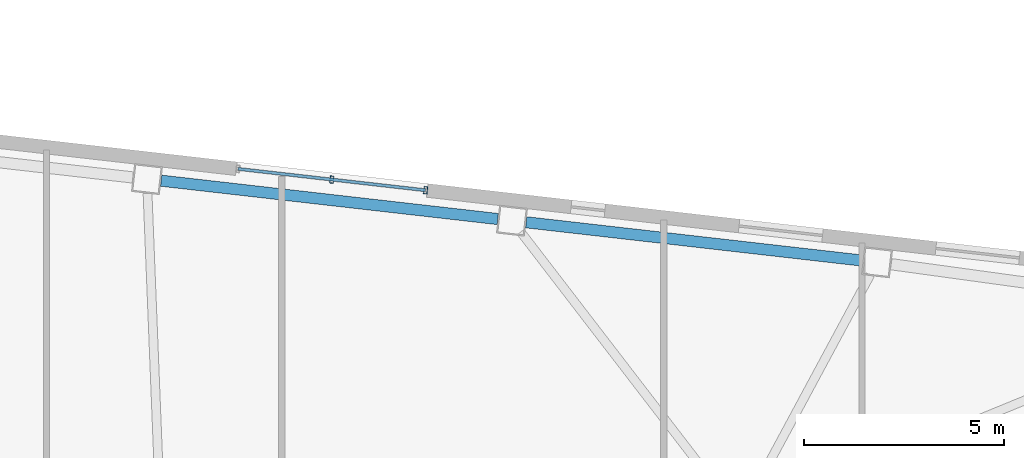
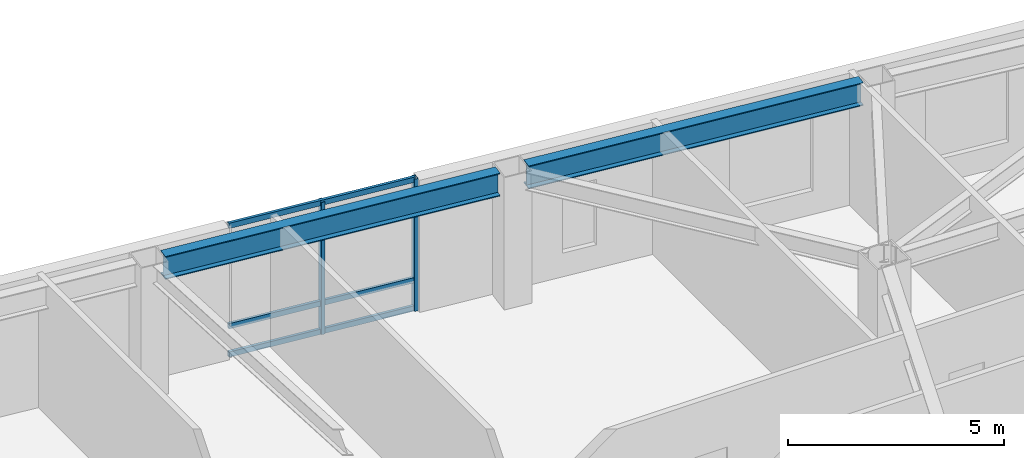
# One storey, part 9 of 21: 5 members, 2 beams, 1 element without a shape of its own.
"""IFC4 building model written with IfcOpenShell, lengths in metres."""

from ifc_helpers import new_model, si_unit, direction, frame, origin, origin_2d, place, context, subcontext, project, spatial, hollow_rectangle, i_section, extrude, material, layer, layer_set, material_profile, profile_set, type_object, element, aggregate, save


model = new_model("IFC4")

# Units and contexts
model_context = context("Model", 3, precision=1e-05, world=origin(), true_north=direction((0.0, 1.0)))
body_context = subcontext(model_context, "Body", "Model", "MODEL_VIEW")
ifc_project = project(units=[si_unit("LENGTHUNIT", "METRE"), si_unit("AREAUNIT", "SQUARE_METRE"), si_unit("VOLUMEUNIT", "CUBIC_METRE"), si_unit("PLANEANGLEUNIT", "RADIAN"), si_unit("MASSUNIT", "GRAM", prefix="KILO")], contexts=[model_context])

# Site, building, storey
site_placement = place(None, origin())
site = spatial("IfcSite", under=ifc_project, at=site_placement, CompositionType="ELEMENT")
building_placement = place(site_placement, origin())
building = spatial("IfcBuilding", under=site, at=building_placement, Name="Tavrogorsk Clinical Tower", CompositionType="ELEMENT")
storey_placement = place(building_placement, frame((0.0, 0.0, 137.39990234375)))
storey = spatial("IfcBuildingStorey", under=building, at=storey_placement, Name="L31", CompositionType="ELEMENT", Elevation=137.39990234375)

# Curtain wall, members
ifc_material_1 = material(Name="Anodised aluminium and triple IGU glazing", Category="aluminium")
ifc_layer = layer(ifc_material_1, 0.179931640625)
ifc_layer_set = layer_set([ifc_layer], Name="Anodised aluminium and triple IGU glazing")
curtain_wall_type = type_object("IfcCurtainWallType", Name="CW2_NorthSlot", PredefinedType="NOTDEFINED", material=ifc_layer_set)
curtain_wall_placement = place(storey_placement, origin())
curtain_wall = element("IfcCurtainWall", 1, at=curtain_wall_placement, inside=storey, type_object=curtain_wall_type, Name="L31 Curtain Wall CW-L31-N-SLOT-2", PredefinedType="NOTDEFINED")
ifc_material_2 = material(Name="Anodised aluminium alloy AW-6060", Category="aluminium")
ifc_material_profile_1 = material_profile(ifc_material_2, hollow_rectangle(XDim=0.090087890625, YDim=0.179931640625, WallThickness=0.00634765625, at=origin_2d()), Name="RHS-180x90x6.3")
ifc_profile_set_1 = profile_set([ifc_material_profile_1], Name="Anodised aluminium alloy AW-6060")
member_type_1 = type_object("IfcMemberType", Name="CwMullion_180x90", PredefinedType="MULLION", material=ifc_profile_set_1)
member_1_placement = place(storey_placement, frame((16.650146484375, 21.36572265625, 0.0), z_axis=(0.0, 0.0, 1.0), x_axis=(-0.993571855603, 0.11320321441, 0.0)))
member_1 = element("IfcMember", 2, at=member_1_placement, type_object=member_type_1, Name="CW-L31-N-SLOT-2 Mullion 1", PredefinedType="MULLION", context=body_context, shape_type="SweptSolid", body=[
    extrude(hollow_rectangle(XDim=0.090087890625, YDim=0.179931640625, WallThickness=0.00634765625, at=origin_2d()), origin(), (0.0, 0.0, 1.0), 3.739990234375),
])
member_2_placement = place(storey_placement, frame((14.306396484375, 21.6328125, 0.0), z_axis=(0.0, 0.0, 1.0), x_axis=(-0.993571855603, 0.11320321441, 0.0)))
member_2 = element("IfcMember", 3, at=member_2_placement, type_object=member_type_1, Name="CW-L31-N-SLOT-2 Mullion 2", PredefinedType="MULLION", context=body_context, shape_type="SweptSolid", body=[
    extrude(hollow_rectangle(XDim=0.090087890625, YDim=0.179931640625, WallThickness=0.00634765625, at=origin_2d()), origin(), (0.0, 0.0, 1.0), 3.739990234375),
])
ifc_material_3 = material(Name="Anodised aluminium alloy AW-6060", Category="aluminium")
ifc_material_profile_2 = material_profile(ifc_material_3, hollow_rectangle(XDim=0.074951171875, YDim=0.14990234375, WallThickness=0.0048828125, at=origin_2d()), Name="RHS-150x75x5")
ifc_profile_set_2 = profile_set([ifc_material_profile_2], Name="Anodised aluminium alloy AW-6060")
member_type_2 = type_object("IfcMemberType", Name="CwTransom_150x75", PredefinedType="USERDEFINED", material=ifc_profile_set_2)
member_3_placement = place(storey_placement, frame((16.650146484375, 21.36572265625, 0.050048828125), z_axis=(-0.993569315854, 0.113225503286, 0.0), x_axis=(-0.113225503286, -0.993569315854, 0.0)))
member_3 = element("IfcMember", 4, at=member_3_placement, type_object=member_type_2, Name="CW-L31-N-SLOT-2 Transom 1", ObjectType="TRANSOM", PredefinedType="USERDEFINED", context=body_context, shape_type="SweptSolid", body=[
    extrude(hollow_rectangle(XDim=0.074951171875, YDim=0.14990234375, WallThickness=0.0048828125, at=origin_2d()), origin(), (0.0, 0.0, 1.0), 4.7177734375),
])
member_4_placement = place(storey_placement, frame((16.650146484375, 21.36572265625, 0.85009765625), z_axis=(-0.993569315854, 0.113225503286, 0.0), x_axis=(-0.113225503286, -0.993569315854, 0.0)))
member_4 = element("IfcMember", 5, at=member_4_placement, type_object=member_type_2, Name="CW-L31-N-SLOT-2 Transom 2", ObjectType="TRANSOM", PredefinedType="USERDEFINED", context=body_context, shape_type="SweptSolid", body=[
    extrude(hollow_rectangle(XDim=0.074951171875, YDim=0.14990234375, WallThickness=0.0048828125, at=origin_2d()), origin(), (0.0, 0.0, 1.0), 4.7177734375),
])
member_5_placement = place(storey_placement, frame((16.650146484375, 21.36572265625, 3.690185546875), z_axis=(-0.993569315854, 0.113225503286, 0.0), x_axis=(-0.113225503286, -0.993569315854, 0.0)))
member_5 = element("IfcMember", 6, at=member_5_placement, type_object=member_type_2, Name="CW-L31-N-SLOT-2 Transom 3", ObjectType="TRANSOM", PredefinedType="USERDEFINED", context=body_context, shape_type="SweptSolid", body=[
    extrude(hollow_rectangle(XDim=0.074951171875, YDim=0.14990234375, WallThickness=0.0048828125, at=origin_2d()), origin(), (0.0, 0.0, 1.0), 4.7177734375),
])
aggregate(curtain_wall, [member_1, member_2, member_3, member_4, member_5])

# Beams
ifc_material_4 = material(Name="Structural steel S390", Category="steel")
ifc_material_profile_3 = material_profile(ifc_material_4, i_section(OverallWidth=0.280029296875, OverallDepth=0.64990234375, WebThickness=0.01611328125, FlangeThickness=0.02490234375, at=origin_2d()), Name="B-650x280x16x25")
ifc_profile_set_3 = profile_set([ifc_material_profile_3], Name="Structural steel S390")
beam_type = type_object("IfcBeamType", Name="SpandrelBeam_B650", PredefinedType="SPANDREL", material=ifc_profile_set_3)
beam_1_placement = place(storey_placement, frame((27.5703125, 19.608154296875, 3.4150390625), z_axis=(-0.993569819641, 0.113221082395, 0.0), x_axis=(-0.113221082395, -0.993569819641, 0.0)))
element("IfcBeam", 7, at=beam_1_placement, inside=storey, type_object=beam_type, Name="L31 Perimeter Spandrel N2-N3", PredefinedType="SPANDREL", context=body_context, shape_type="SweptSolid", body=[
    extrude(i_section(OverallWidth=0.280029296875, OverallDepth=0.64990234375, WebThickness=0.01611328125, FlangeThickness=0.02490234375, at=origin_2d()), origin(), (0.0, 0.0, 1.0), 8.46142578125),
])
beam_2_placement = place(storey_placement, frame((18.451904296875, 20.647216796875, 3.4150390625), z_axis=(-0.99357232562, 0.113199089054, 0.0), x_axis=(-0.113199089054, -0.99357232562, 0.0)))
element("IfcBeam", 8, at=beam_2_placement, inside=storey, type_object=beam_type, Name="L31 Perimeter Spandrel N3-N4", PredefinedType="SPANDREL", context=body_context, shape_type="SweptSolid", body=[
    extrude(i_section(OverallWidth=0.280029296875, OverallDepth=0.64990234375, WebThickness=0.01611328125, FlangeThickness=0.02490234375, at=origin_2d()), origin(), (0.0, 0.0, 1.0), 8.4609375),
])

save(model, "model.ifc")
